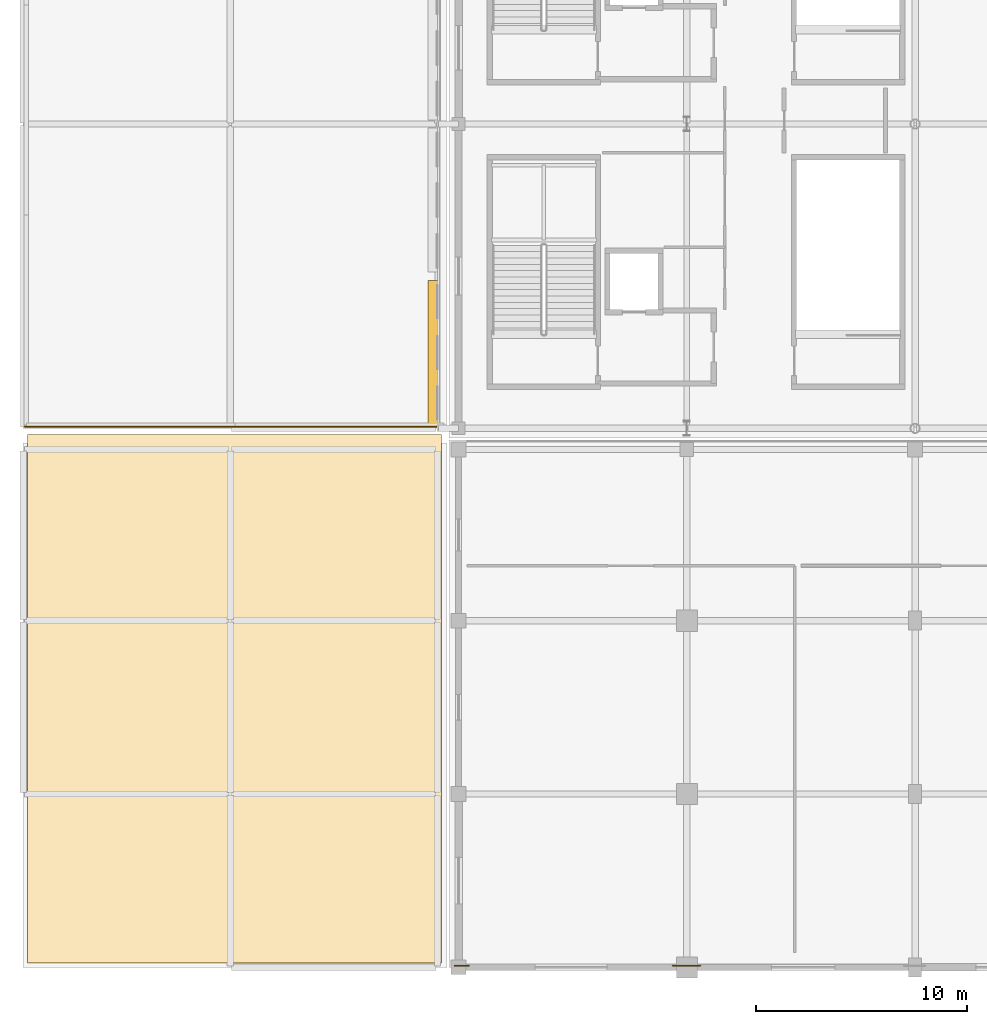
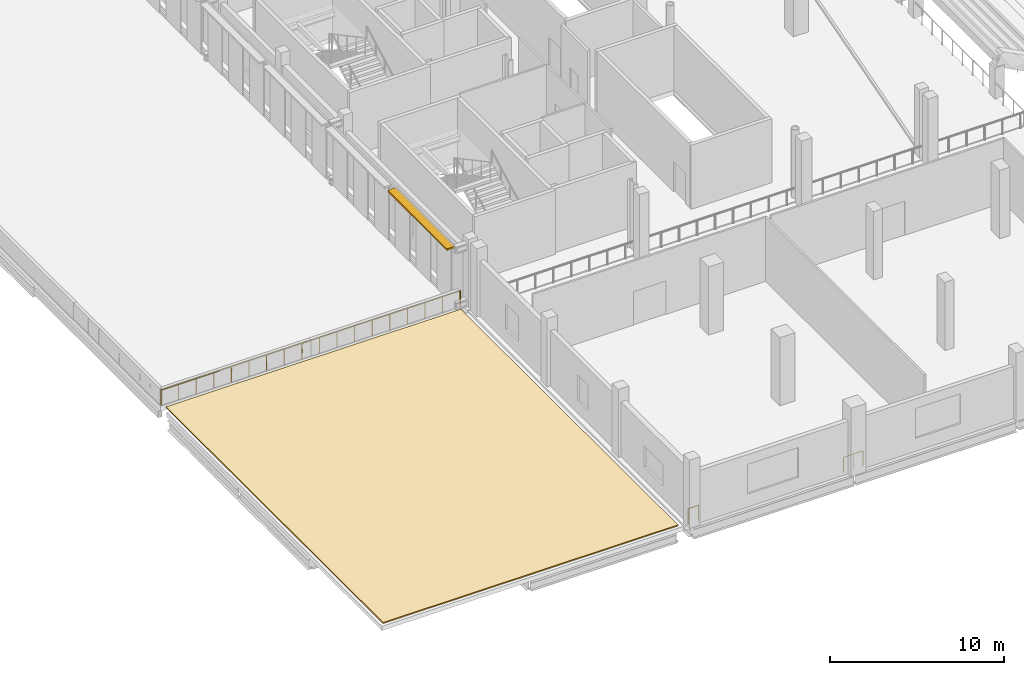
# One storey, part 49 of 74: 3 railings, 1 covering, 1 shading device.
"""IFC4 building model written with IfcOpenShell, lengths in metres."""

from ifc_helpers import new_model, si_unit, direction, frame, origin, origin_2d, place, context, subcontext, project, spatial, polyline, rectangle, circle, outline, extrude, material, layer, layer_set, type_object, element, save


model = new_model("IFC4")

# Units and contexts
model_context = context("Model", 3, precision=1e-05, world=origin(), true_north=direction((0.0, 1.0)))
body_context = subcontext(model_context, "Body", "Model", "MODEL_VIEW")
ifc_project = project(units=[si_unit("LENGTHUNIT", "METRE"), si_unit("AREAUNIT", "SQUARE_METRE"), si_unit("VOLUMEUNIT", "CUBIC_METRE"), si_unit("PLANEANGLEUNIT", "RADIAN"), si_unit("MASSUNIT", "GRAM", prefix="KILO")], contexts=[model_context])

# Site, building, storey
site_placement = place(None, origin())
site = spatial("IfcSite", under=ifc_project, at=site_placement, CompositionType="ELEMENT")
building_placement = place(site_placement, origin())
building = spatial("IfcBuilding", under=site, at=building_placement, Name="Koshinbarg Plaza Stadium", CompositionType="ELEMENT")
storey_placement = place(building_placement, frame((0.0, 0.0, 15.0)))
storey = spatial("IfcBuildingStorey", under=building, at=storey_placement, Name="L03", CompositionType="ELEMENT", Elevation=15.0)

# Covering
ifc_material_1 = material(Name="EPDM waterproofing membrane and rigid mineral-wool roof insulation")
ifc_layer = layer(ifc_material_1, 0.080078125)
ifc_layer_set = layer_set([ifc_layer], Name="EPDM waterproofing membrane and rigid mineral-wool roof insulation")
covering_type = type_object("IfcCoveringType", Name="COV-ROOFING-01", PredefinedType="ROOFING", material=ifc_layer_set)
covering_placement = place(storey_placement, origin())
element("IfcCovering", 1, at=covering_placement, inside=storey, type_object=covering_type, Name="L03 insulated membrane roofing RFG-V6-S", PredefinedType="ROOFING", context=body_context, shape_type="SweptSolid", body=[
    extrude(outline(polyline([(4.199951171875, 0.199951171875), (23.800048828125, 0.199951171875), (23.800048828125, 25.199951171875), (4.199951171875, 25.199951171875), (4.199951171875, 0.199951171875)])), origin(), (0.0, 0.0, 1.0), 0.080078125),
])

# Railings
ifc_material_2 = material(Name="Toughened laminated glass and stainless steel sightline balustrade", Category="steel")
railing_type_1 = type_object("IfcRailingType", Name="RL-BOWL-1100", PredefinedType="BALUSTRADE", material=ifc_material_2)
railing_1_placement = place(storey_placement, frame((36.0341796875, 0.080078125, 0.0)))
element("IfcRailing", 2, at=railing_1_placement, inside=storey, type_object=railing_type_1, Name="L03 deck edge safety balustrade 0264", PredefinedType="BALUSTRADE", context=body_context, shape_type="SweptSolid", body=[
    extrude(circle(Radius=0.02392578125, at=origin_2d()), frame((0.0, 0.0, 1.076171875), z_axis=(-1.0, 0.0, 0.0), x_axis=(0.0, -1.0, 0.0)), (0.0, 0.0, 1.0), 1.29931640625),
    extrude(circle(Radius=0.02099609375, at=origin_2d()), origin(), (0.0, 0.0, 1.0), 1.052001953125),
    extrude(circle(Radius=0.02099609375, at=origin_2d()), frame((-0.649658203125, 0.0, 0.0)), (0.0, 0.0, 1.0), 1.052001953125),
    extrude(circle(Radius=0.02099609375, at=origin_2d()), frame((-1.29931640625, 0.0, 0.0)), (0.0, 0.0, 1.0), 1.052001953125),
])
railing_2_placement = place(storey_placement, frame((25.09423828125, 0.080078125, 0.0)))
element("IfcRailing", 3, at=railing_2_placement, inside=storey, type_object=railing_type_1, Name="L03 deck edge safety balustrade 0265", PredefinedType="BALUSTRADE", context=body_context, shape_type="SweptSolid", body=[
    extrude(circle(Radius=0.02392578125, at=origin_2d()), frame((0.0, 0.0, 1.076171875), z_axis=(-1.0, 0.0, 0.0), x_axis=(0.0, -1.0, 0.0)), (0.0, 0.0, 1.0), 0.67919921875),
    extrude(circle(Radius=0.02099609375, at=origin_2d()), origin(), (0.0, 0.0, 1.0), 1.052001953125),
    extrude(circle(Radius=0.02099609375, at=origin_2d()), frame((-0.67919921875, 0.0, 0.0)), (0.0, 0.0, 1.0), 1.052001953125),
])
ifc_material_3 = material(Name="Galvanized painted steel guardrail", Category="steel")
railing_type_2 = type_object("IfcRailingType", Name="RL-GUARD-1100", PredefinedType="GUARDRAIL", material=ifc_material_3)
railing_3_placement = place(storey_placement, frame((4.080078125, 25.580078125, 0.0)))
element("IfcRailing", 4, at=railing_3_placement, inside=storey, type_object=railing_type_2, Name="L03 roof garden RG-L03-SW guard 0004", PredefinedType="GUARDRAIL", context=body_context, shape_type="SweptSolid", body=[
    extrude(circle(Radius=0.02392578125, at=origin_2d()), frame((0.0, 0.0, 1.076171875), z_axis=(1.0, 0.0, 0.0), x_axis=(0.0, 1.0, 0.0)), (0.0, 0.0, 1.0), 19.89501953125),
    extrude(circle(Radius=0.02099609375, at=origin_2d()), origin(), (0.0, 0.0, 1.0), 1.052001953125),
    extrude(circle(Radius=0.02099609375, at=origin_2d()), frame((1.17041015625, 0.0, 0.0)), (0.0, 0.0, 1.0), 1.052001953125),
    extrude(circle(Radius=0.02099609375, at=origin_2d()), frame((2.340576171875, 0.0, 0.0)), (0.0, 0.0, 1.0), 1.052001953125),
    extrude(circle(Radius=0.02099609375, at=origin_2d()), frame((3.510986328125, 0.0, 0.0)), (0.0, 0.0, 1.0), 1.052001953125),
    extrude(circle(Radius=0.02099609375, at=origin_2d()), frame((4.68115234375, 0.0, 0.0)), (0.0, 0.0, 1.0), 1.052001953125),
    extrude(circle(Radius=0.02099609375, at=origin_2d()), frame((5.8515625, 0.0, 0.0)), (0.0, 0.0, 1.0), 1.052001953125),
    extrude(circle(Radius=0.02099609375, at=origin_2d()), frame((7.021728515625, 0.0, 0.0)), (0.0, 0.0, 1.0), 1.052001953125),
    extrude(circle(Radius=0.02099609375, at=origin_2d()), frame((8.192138671875, 0.0, 0.0)), (0.0, 0.0, 1.0), 1.052001953125),
    extrude(circle(Radius=0.02099609375, at=origin_2d()), frame((9.3623046875, 0.0, 0.0)), (0.0, 0.0, 1.0), 1.052001953125),
    extrude(circle(Radius=0.02099609375, at=origin_2d()), frame((10.53271484375, 0.0, 0.0)), (0.0, 0.0, 1.0), 1.052001953125),
    extrude(circle(Radius=0.02099609375, at=origin_2d()), frame((11.702880859375, 0.0, 0.0)), (0.0, 0.0, 1.0), 1.052001953125),
    extrude(circle(Radius=0.02099609375, at=origin_2d()), frame((12.873291015625, 0.0, 0.0)), (0.0, 0.0, 1.0), 1.052001953125),
    extrude(circle(Radius=0.02099609375, at=origin_2d()), frame((14.04345703125, 0.0, 0.0)), (0.0, 0.0, 1.0), 1.052001953125),
    extrude(circle(Radius=0.02099609375, at=origin_2d()), frame((15.2138671875, 0.0, 0.0)), (0.0, 0.0, 1.0), 1.052001953125),
    extrude(circle(Radius=0.02099609375, at=origin_2d()), frame((16.384033203125, 0.0, 0.0)), (0.0, 0.0, 1.0), 1.052001953125),
    extrude(circle(Radius=0.02099609375, at=origin_2d()), frame((17.554443359375, 0.0, 0.0)), (0.0, 0.0, 1.0), 1.052001953125),
    extrude(circle(Radius=0.02099609375, at=origin_2d()), frame((18.724609375, 0.0, 0.0)), (0.0, 0.0, 1.0), 1.052001953125),
    extrude(circle(Radius=0.02099609375, at=origin_2d()), frame((19.89501953125, 0.0, 0.0)), (0.0, 0.0, 1.0), 1.052001953125),
])

# Shading device
ifc_material_4 = material(Name="Off-white powder-coated aluminium sun-baffle louvre", Category="aluminium")
shading_device_type = type_object("IfcShadingDeviceType", Name="SHD-LOUVRE-01", PredefinedType="USERDEFINED", material=ifc_material_4)
shading_device_placement = place(storey_placement, frame((23.429931640625, 29.10009765625, 4.119873046875), z_axis=(0.0, 0.0, 1.0), x_axis=(1.0, 0.0, 0.0)))
element("IfcShadingDevice", 5, at=shading_device_placement, inside=storey, type_object=shading_device_type, Name="L03 solar brise-soleil louvre 01", ObjectType="LOUVRE", PredefinedType="USERDEFINED", context=body_context, shape_type="SweptSolid", body=[
    extrude(rectangle(XDim=0.550048828125, YDim=6.800048828125, at=origin_2d()), origin(), (0.0, 0.0, 1.0), 0.1201171875),
])

save(model, "model.ifc")
